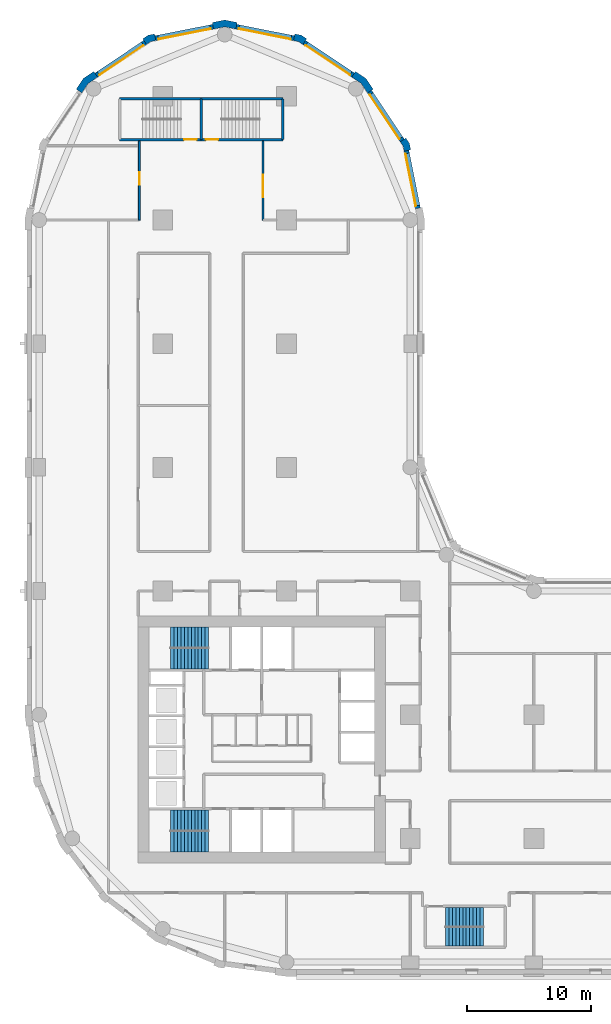
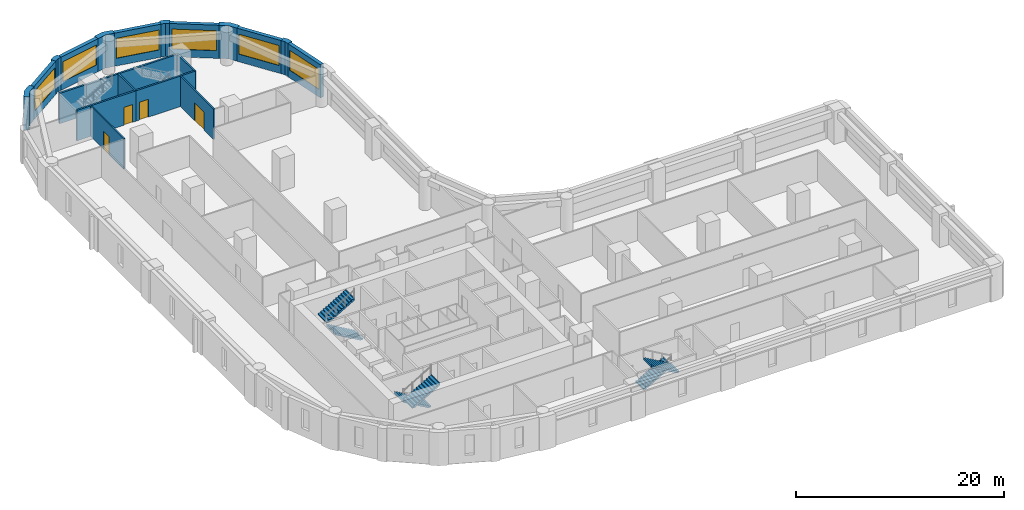
# One storey, part 8 of 11: 20 walls, 6 stair flights, 6 windows, 4 doors, 10 openings, 3 elements without a shape of their own.
"""IFC4 building model written with IfcOpenShell, lengths in metres."""

from ifc_helpers import new_model, si_unit, direction, frame, frame_2d, origin, place, context, subcontext, project, spatial, polyline, rectangle, outline, extrude, material, layer, layer_set, type_object, element, fill, aggregate, save


model = new_model("IFC4")

# Units and contexts
model_context = context("Model", 3, precision=1e-05, world=origin(), true_north=direction((0.0, 1.0)))
body_context = subcontext(model_context, "Body", "Model", "MODEL_VIEW")
ifc_project = project(units=[si_unit("LENGTHUNIT", "METRE"), si_unit("AREAUNIT", "SQUARE_METRE"), si_unit("VOLUMEUNIT", "CUBIC_METRE"), si_unit("PLANEANGLEUNIT", "RADIAN"), si_unit("MASSUNIT", "GRAM", prefix="KILO")], contexts=[model_context])

# Site, building, storey
site_placement = place(None, origin())
site = spatial("IfcSite", under=ifc_project, at=site_placement, CompositionType="ELEMENT")
building_placement = place(site_placement, origin())
building = spatial("IfcBuilding", under=site, at=building_placement, Name="Qaws Garden Tower", CompositionType="ELEMENT")
storey_placement = place(building_placement, frame((0.0, 0.0, 86.10009765625)))
storey = spatial("IfcBuildingStorey", under=building, at=storey_placement, Name="L21", CompositionType="ELEMENT", Elevation=86.10009765625)

# Wall, opening, window
ifc_material_1 = material(Name="Clay facing brick masonry", Category="masonry")
ifc_layer_1 = layer(ifc_material_1, 0.39990234375)
ifc_layer_set_1 = layer_set([ifc_layer_1], Name="Clay facing brick masonry")
wall_type_1 = type_object("IfcWallType", Name="Brick infill wall 400", PredefinedType="SOLIDWALL", material=ifc_layer_set_1)
wall_1_placement = place(storey_placement, frame((30.628662109375, 60.940673828125, 0.0), z_axis=(0.0, 0.0, 1.0), x_axis=(-0.195098533057, 0.98078364709, 0.0)))
wall_1 = element("IfcWall", 1, at=wall_1_placement, inside=storey, type_object=wall_type_1, Name="E-L21-infill-15", PredefinedType="SOLIDWALL", context=body_context, shape_type="SweptSolid", body=[
    extrude(rectangle(XDim=4.752685546875, YDim=0.39990234375, at=frame_2d((2.37646484375, 0.0))), origin(), (0.0, 0.0, 1.0), 3.89990234375),
])
opening_1_placement = place(wall_1_placement, frame((0.226318359375, 0.0, 0.89990234375)))
opening_1 = element("IfcOpeningElement", 2, at=opening_1_placement, cuts=wall_1, Name="Opening W06", PredefinedType="OPENING", context=body_context, shape_type="SweptSolid", body=[
    extrude(rectangle(XDim=4.300048828125, YDim=2.35009765625, at=frame_2d((2.14990234375, 1.175048828125))), frame((0.0, 0.2099609375, 0.0), z_axis=(0.0, -1.0, 0.0), x_axis=(1.0, 0.0, 0.0)), (0.0, 0.0, 1.0), 0.419921875),
])
ifc_material_2 = material(Name="Aluminium framed window, clear glazing", Category="aluminium")
window_type = type_object("IfcWindowType", Name="Ribbon window 4300 x 2350", PartitioningType="DOUBLE_PANEL_VERTICAL", PredefinedType="WINDOW", material=ifc_material_2)
window_1_placement = place(opening_1_placement, origin())
window_1 = element("IfcWindow", 3, at=window_1_placement, inside=storey, type_object=window_type, Name="E-L21-window-15-0", OverallHeight=2.35009765625, OverallWidth=4.300048828125, PartitioningType="SINGLE_PANEL", PredefinedType="WINDOW", context=body_context, shape_type="SweptSolid", body=[
    extrude(rectangle(XDim=4.300048828125, YDim=2.35009765625, at=frame_2d((2.14990234375, 1.175048828125))), frame((0.0, 0.159912109375, 0.0), z_axis=(0.0, -1.0, 0.0), x_axis=(1.0, 0.0, 0.0)), (0.0, 0.0, 1.0), 0.06005859375),
])
fill(opening_1, window_1)

wall_2_placement = place(storey_placement, frame((29.356689453125, 66.43408203125, 0.0), z_axis=(0.0, 0.0, 1.0), x_axis=(-0.555541552266, 0.831488775454, 0.0)))
wall_2 = element("IfcWall", 4, at=wall_2_placement, inside=storey, type_object=wall_type_1, Name="E-L21-infill-16", PredefinedType="SOLIDWALL", context=body_context, shape_type="SweptSolid", body=[
    extrude(rectangle(XDim=4.752685546875, YDim=0.39990234375, at=frame_2d((2.37646484375, 0.0))), origin(), (0.0, 0.0, 1.0), 3.89990234375),
])
opening_2_placement = place(wall_2_placement, frame((0.226318359375, 0.0, 0.89990234375)))
opening_2 = element("IfcOpeningElement", 5, at=opening_2_placement, cuts=wall_2, Name="Opening W06", PredefinedType="OPENING", context=body_context, shape_type="SweptSolid", body=[
    extrude(rectangle(XDim=4.300048828125, YDim=2.35009765625, at=frame_2d((2.14990234375, 1.175048828125))), frame((0.0, 0.2099609375, 0.0), z_axis=(0.0, -1.0, 0.0), x_axis=(1.0, 0.0, 0.0)), (0.0, 0.0, 1.0), 0.419921875),
])
window_2_placement = place(opening_2_placement, origin())
window_2 = element("IfcWindow", 6, at=window_2_placement, inside=storey, type_object=window_type, Name="E-L21-window-16-0", OverallHeight=2.35009765625, OverallWidth=4.300048828125, PartitioningType="SINGLE_PANEL", PredefinedType="WINDOW", context=body_context, shape_type="SweptSolid", body=[
    extrude(rectangle(XDim=4.300048828125, YDim=2.35009765625, at=frame_2d((2.14990234375, 1.175048828125))), frame((0.0, 0.159912109375, 0.0), z_axis=(0.0, -1.0, 0.0), x_axis=(1.0, 0.0, 0.0)), (0.0, 0.0, 1.0), 0.06005859375),
])
fill(opening_2, window_2)

wall_3_placement = place(storey_placement, frame((25.385986328125, 71.71630859375, 0.0), z_axis=(0.0, 0.0, 1.0), x_axis=(-0.831488775454, 0.555541552266, 0.0)))
wall_3 = element("IfcWall", 7, at=wall_3_placement, inside=storey, type_object=wall_type_1, Name="E-L21-infill-17", PredefinedType="SOLIDWALL", context=body_context, shape_type="SweptSolid", body=[
    extrude(rectangle(XDim=4.752685546875, YDim=0.39990234375, at=frame_2d((2.37646484375, 0.0))), origin(), (0.0, 0.0, 1.0), 3.89990234375),
])
opening_3_placement = place(wall_3_placement, frame((0.226318359375, 0.0, 0.89990234375)))
opening_3 = element("IfcOpeningElement", 8, at=opening_3_placement, cuts=wall_3, Name="Opening W06", PredefinedType="OPENING", context=body_context, shape_type="SweptSolid", body=[
    extrude(rectangle(XDim=4.300048828125, YDim=2.35009765625, at=frame_2d((2.14990234375, 1.175048828125))), frame((0.0, 0.2099609375, 0.0), z_axis=(0.0, -1.0, 0.0), x_axis=(1.0, 0.0, 0.0)), (0.0, 0.0, 1.0), 0.419921875),
])
window_3_placement = place(opening_3_placement, origin())
window_3 = element("IfcWindow", 9, at=window_3_placement, inside=storey, type_object=window_type, Name="E-L21-window-17-0", OverallHeight=2.35009765625, OverallWidth=4.300048828125, PartitioningType="SINGLE_PANEL", PredefinedType="WINDOW", context=body_context, shape_type="SweptSolid", body=[
    extrude(rectangle(XDim=4.300048828125, YDim=2.35009765625, at=frame_2d((2.14990234375, 1.175048828125))), frame((0.0, 0.159912109375, 0.0), z_axis=(0.0, -1.0, 0.0), x_axis=(1.0, 0.0, 0.0)), (0.0, 0.0, 1.0), 0.06005859375),
])
fill(opening_3, window_3)

wall_4_placement = place(storey_placement, frame((20.60205078125, 74.701416015625, 0.0), z_axis=(0.0, 0.0, 1.0), x_axis=(-0.98078364709, 0.195098533057, 0.0)))
wall_4 = element("IfcWall", 10, at=wall_4_placement, inside=storey, type_object=wall_type_1, Name="E-L21-infill-18", PredefinedType="SOLIDWALL", context=body_context, shape_type="SweptSolid", body=[
    extrude(rectangle(XDim=4.752685546875, YDim=0.39990234375, at=frame_2d((2.37646484375, 0.0))), origin(), (0.0, 0.0, 1.0), 3.89990234375),
])
opening_4_placement = place(wall_4_placement, frame((0.226318359375, 0.0, 0.89990234375)))
opening_4 = element("IfcOpeningElement", 11, at=opening_4_placement, cuts=wall_4, Name="Opening W06", PredefinedType="OPENING", context=body_context, shape_type="SweptSolid", body=[
    extrude(rectangle(XDim=4.300048828125, YDim=2.35009765625, at=frame_2d((2.14990234375, 1.175048828125))), frame((0.0, 0.2099609375, 0.0), z_axis=(0.0, -1.0, 0.0), x_axis=(1.0, 0.0, 0.0)), (0.0, 0.0, 1.0), 0.419921875),
])
window_4_placement = place(opening_4_placement, origin())
window_4 = element("IfcWindow", 12, at=window_4_placement, inside=storey, type_object=window_type, Name="E-L21-window-18-0", OverallHeight=2.35009765625, OverallWidth=4.300048828125, PartitioningType="SINGLE_PANEL", PredefinedType="WINDOW", context=body_context, shape_type="SweptSolid", body=[
    extrude(rectangle(XDim=4.300048828125, YDim=2.35009765625, at=frame_2d((2.14990234375, 1.175048828125))), frame((0.0, 0.159912109375, 0.0), z_axis=(0.0, -1.0, 0.0), x_axis=(1.0, 0.0, 0.0)), (0.0, 0.0, 1.0), 0.06005859375),
])
fill(opening_4, window_4)

wall_5_placement = place(storey_placement, frame((14.059326171875, 75.628662109375, 0.0), z_axis=(0.0, 0.0, 1.0), x_axis=(-0.98078364709, -0.195098533057, 0.0)))
wall_5 = element("IfcWall", 13, at=wall_5_placement, inside=storey, type_object=wall_type_1, Name="E-L21-infill-19", PredefinedType="SOLIDWALL", context=body_context, shape_type="SweptSolid", body=[
    extrude(rectangle(XDim=4.752685546875, YDim=0.39990234375, at=frame_2d((2.37646484375, 0.0))), origin(), (0.0, 0.0, 1.0), 3.89990234375),
])
opening_5_placement = place(wall_5_placement, frame((0.226318359375, 0.0, 0.89990234375)))
opening_5 = element("IfcOpeningElement", 14, at=opening_5_placement, cuts=wall_5, Name="Opening W06", PredefinedType="OPENING", context=body_context, shape_type="SweptSolid", body=[
    extrude(rectangle(XDim=4.300048828125, YDim=2.35009765625, at=frame_2d((2.14990234375, 1.175048828125))), frame((0.0, 0.2099609375, 0.0), z_axis=(0.0, -1.0, 0.0), x_axis=(1.0, 0.0, 0.0)), (0.0, 0.0, 1.0), 0.419921875),
])
window_5_placement = place(opening_5_placement, origin())
window_5 = element("IfcWindow", 15, at=window_5_placement, inside=storey, type_object=window_type, Name="E-L21-window-19-0", OverallHeight=2.35009765625, OverallWidth=4.300048828125, PartitioningType="SINGLE_PANEL", PredefinedType="WINDOW", context=body_context, shape_type="SweptSolid", body=[
    extrude(rectangle(XDim=4.300048828125, YDim=2.35009765625, at=frame_2d((2.14990234375, 1.175048828125))), frame((0.0, 0.159912109375, 0.0), z_axis=(0.0, -1.0, 0.0), x_axis=(1.0, 0.0, 0.0)), (0.0, 0.0, 1.0), 0.06005859375),
])
fill(opening_5, window_5)

wall_6_placement = place(storey_placement, frame((8.56591796875, 74.356689453125, 0.0), z_axis=(0.0, 0.0, 1.0), x_axis=(-0.831488775454, -0.555541552266, 0.0)))
wall_6 = element("IfcWall", 16, at=wall_6_placement, inside=storey, type_object=wall_type_1, Name="E-L21-infill-20", PredefinedType="SOLIDWALL", context=body_context, shape_type="SweptSolid", body=[
    extrude(rectangle(XDim=4.752685546875, YDim=0.39990234375, at=frame_2d((2.37646484375, 0.0))), origin(), (0.0, 0.0, 1.0), 3.89990234375),
])
opening_6_placement = place(wall_6_placement, frame((0.226318359375, 0.0, 0.89990234375)))
opening_6 = element("IfcOpeningElement", 17, at=opening_6_placement, cuts=wall_6, Name="Opening W06", PredefinedType="OPENING", context=body_context, shape_type="SweptSolid", body=[
    extrude(rectangle(XDim=4.300048828125, YDim=2.35009765625, at=frame_2d((2.14990234375, 1.175048828125))), frame((0.0, 0.2099609375, 0.0), z_axis=(0.0, -1.0, 0.0), x_axis=(1.0, 0.0, 0.0)), (0.0, 0.0, 1.0), 0.419921875),
])
window_6_placement = place(opening_6_placement, origin())
window_6 = element("IfcWindow", 18, at=window_6_placement, inside=storey, type_object=window_type, Name="E-L21-window-20-0", OverallHeight=2.35009765625, OverallWidth=4.300048828125, PartitioningType="SINGLE_PANEL", PredefinedType="WINDOW", context=body_context, shape_type="SweptSolid", body=[
    extrude(rectangle(XDim=4.300048828125, YDim=2.35009765625, at=frame_2d((2.14990234375, 1.175048828125))), frame((0.0, 0.159912109375, 0.0), z_axis=(0.0, -1.0, 0.0), x_axis=(1.0, 0.0, 0.0)), (0.0, 0.0, 1.0), 0.06005859375),
])
fill(opening_6, window_6)

# Walls
ifc_material_3 = material(Name="Clay facing brick masonry", Category="masonry")
ifc_layer_2 = layer(ifc_material_3, 0.550048828125)
ifc_layer_set_2 = layer_set([ifc_layer_2], Name="Clay facing brick masonry")
wall_type_2 = type_object("IfcWallType", Name="Brick kink pier 550 x 600", PredefinedType="SOLIDWALL", material=ifc_layer_set_2)
placement = place(storey_placement, origin())
element("IfcWall", 19, at=placement, inside=storey, type_object=wall_type_2, Name="E-L21-pier-16", PredefinedType="SOLIDWALL", context=body_context, shape_type="SweptSolid", body=[
    extrude(outline(polyline([(29.8974609375, 65.64111328125), (30.044677734375, 65.67041015625), (29.94140625, 66.18896484375), (29.647705078125, 66.628662109375), (29.52294921875, 66.545166015625), (29.1904296875, 66.322998046875), (29.42333984375, 65.974365234375), (29.505126953125, 65.56298828125), (29.8974609375, 65.64111328125)])), origin(), (0.0, 0.0, 1.0), 3.89990234375),
])
element("IfcWall", 20, at=placement, inside=storey, type_object=wall_type_2, Name="E-L21-pier-18", PredefinedType="SOLIDWALL", context=body_context, shape_type="SweptSolid", body=[
    extrude(outline(polyline([(21.545166015625, 74.52294921875), (21.628662109375, 74.647705078125), (21.18896484375, 74.94140625), (20.67041015625, 75.044677734375), (20.64111328125, 74.8974609375), (20.56298828125, 74.505126953125), (20.974365234375, 74.42333984375), (21.322998046875, 74.1904296875), (21.545166015625, 74.52294921875)])), origin(), (0.0, 0.0, 1.0), 3.89990234375),
])
element("IfcWall", 21, at=placement, inside=storey, type_object=wall_type_2, Name="E-L21-pier-20", PredefinedType="SOLIDWALL", context=body_context, shape_type="SweptSolid", body=[
    extrude(outline(polyline([(9.35888671875, 74.8974609375), (9.32958984375, 75.044677734375), (8.81103515625, 74.94140625), (8.371337890625, 74.647705078125), (8.454833984375, 74.52294921875), (8.677001953125, 74.1904296875), (9.025634765625, 74.42333984375), (9.43701171875, 74.505126953125), (9.35888671875, 74.8974609375)])), origin(), (0.0, 0.0, 1.0), 3.89990234375),
])
ifc_material_4 = material(Name="Clay facing brick masonry", Category="masonry")
ifc_layer_3 = layer(ifc_material_4, 0.550048828125)
ifc_layer_set_3 = layer_set([ifc_layer_3], Name="Clay facing brick masonry")
wall_type_3 = type_object("IfcWallType", Name="Brick pier 550 x 1600", PredefinedType="SOLIDWALL", material=ifc_layer_set_3)
element("IfcWall", 22, at=placement, inside=storey, type_object=wall_type_3, Name="E-L21-pier-17", PredefinedType="SOLIDWALL", context=body_context, shape_type="SweptSolid", body=[
    extrude(outline(polyline([(26.882568359375, 70.4970703125), (27.00732421875, 70.580322265625), (26.435791015625, 71.435791015625), (25.580322265625, 72.00732421875), (25.4970703125, 71.882568359375), (25.274658203125, 71.550048828125), (26.0390625, 71.0390625), (26.550048828125, 70.274658203125), (26.882568359375, 70.4970703125)])), origin(), (0.0, 0.0, 1.0), 3.89990234375),
])
element("IfcWall", 23, at=placement, inside=storey, type_object=wall_type_3, Name="E-L21-pier-19", PredefinedType="SOLIDWALL", context=body_context, shape_type="SweptSolid", body=[
    extrude(outline(polyline([(15.979736328125, 75.82470703125), (16.009033203125, 75.971923828125), (15.0, 76.172607421875), (13.990966796875, 75.971923828125), (14.020263671875, 75.82470703125), (14.098388671875, 75.432373046875), (15.0, 75.61181640625), (15.901611328125, 75.432373046875), (15.979736328125, 75.82470703125)])), origin(), (0.0, 0.0, 1.0), 3.89990234375),
])
element("IfcWall", 24, at=placement, inside=storey, type_object=wall_type_3, Name="E-L21-pier-21", PredefinedType="SOLIDWALL", context=body_context, shape_type="SweptSolid", body=[
    extrude(outline(polyline([(4.5029296875, 71.882568359375), (4.419677734375, 72.00732421875), (3.564208984375, 71.435791015625), (2.99267578125, 70.580322265625), (3.117431640625, 70.4970703125), (3.449951171875, 70.274658203125), (3.9609375, 71.0390625), (4.725341796875, 71.550048828125), (4.5029296875, 71.882568359375)])), origin(), (0.0, 0.0, 1.0), 3.89990234375),
])

# Wall, opening, door
ifc_material_5 = material(Name="Concrete C80", Category="concrete")
ifc_layer_4 = layer(ifc_material_5, 0.199951171875)
ifc_layer_set_4 = layer_set([ifc_layer_4], Name="Concrete C80")
wall_type_4 = type_object("IfcWallType", Name="Core shaft wall 200 C80", PredefinedType="SHEAR", material=ifc_layer_set_4)
wall_13_placement = place(storey_placement, frame((6.5, 66.5, 0.0), z_axis=(0.0, 0.0, 1.0), x_axis=(1.0, 0.0, 0.0)))
wall_13 = element("IfcWall", 25, at=wall_13_placement, inside=storey, type_object=wall_type_4, Name="Shaft wall", PredefinedType="SHEAR", context=body_context, shape_type="SweptSolid", body=[
    extrude(rectangle(XDim=6.60009765625, YDim=0.199951171875, at=frame_2d((3.300048828125, 0.0))), origin(), (0.0, 0.0, 1.0), 3.579833984375),
])
opening_7_placement = place(wall_13_placement, frame((5.22509765625, 0.0, 0.0)))
opening_7 = element("IfcOpeningElement", 26, at=opening_7_placement, cuts=wall_13, Name="Opening SD13", PredefinedType="OPENING", context=body_context, shape_type="SweptSolid", body=[
    extrude(rectangle(XDim=1.0, YDim=2.10009765625, at=frame_2d((0.5, 1.050048828125))), frame((0.0, 0.10986328125, 0.0), z_axis=(0.0, -1.0, 0.0), x_axis=(1.0, 0.0, 0.0)), (0.0, 0.0, 1.0), 0.219970703125),
])
ifc_material_6 = material(Name="Steel S235", Category="steel")
door_type_1 = type_object("IfcDoorType", Name="Stair door 1000x2100", OperationType="SINGLE_SWING_RIGHT", PredefinedType="DOOR", material=ifc_material_6)
door_1_placement = place(opening_7_placement, origin())
door_1 = element("IfcDoor", 27, at=door_1_placement, inside=storey, type_object=door_type_1, Name="Stair 6 door", OperationType="SINGLE_SWING_RIGHT", OverallHeight=2.10009765625, OverallWidth=1.0, PredefinedType="DOOR", context=body_context, shape_type="SweptSolid", body=[
    extrude(rectangle(XDim=1.0, YDim=2.10009765625, at=frame_2d((0.5, 1.050048828125))), frame((0.0, 0.02490234375, 0.0), z_axis=(0.0, -1.0, 0.0), x_axis=(1.0, 0.0, 0.0)), (0.0, 0.0, 1.0), 0.050048828125),
])
fill(opening_7, door_1)

wall_14_placement = place(storey_placement, frame((13.10009765625, 66.5, 0.0), z_axis=(0.0, 0.0, 1.0), x_axis=(1.0, 0.0, 0.0)))
wall_14 = element("IfcWall", 28, at=wall_14_placement, inside=storey, type_object=wall_type_4, Name="Shaft wall", PredefinedType="SHEAR", context=body_context, shape_type="SweptSolid", body=[
    extrude(rectangle(XDim=6.599853515625, YDim=0.199951171875, at=frame_2d((3.2998046875, 0.0))), origin(), (0.0, 0.0, 1.0), 3.579833984375),
])
opening_8_placement = place(wall_14_placement, frame((0.375, 0.0, 0.0)))
opening_8 = element("IfcOpeningElement", 29, at=opening_8_placement, cuts=wall_14, Name="Opening SD14", PredefinedType="OPENING", context=body_context, shape_type="SweptSolid", body=[
    extrude(rectangle(XDim=1.0, YDim=2.10009765625, at=frame_2d((0.5, 1.050048828125))), frame((0.0, 0.10986328125, 0.0), z_axis=(0.0, -1.0, 0.0), x_axis=(1.0, 0.0, 0.0)), (0.0, 0.0, 1.0), 0.219970703125),
])
door_2_placement = place(opening_8_placement, origin())
door_2 = element("IfcDoor", 30, at=door_2_placement, inside=storey, type_object=door_type_1, Name="Stair 7 door", OperationType="SINGLE_SWING_LEFT", OverallHeight=2.10009765625, OverallWidth=1.0, PredefinedType="DOOR", context=body_context, shape_type="SweptSolid", body=[
    extrude(rectangle(XDim=1.0, YDim=2.10009765625, at=frame_2d((0.5, 1.050048828125))), frame((0.0, 0.02490234375, 0.0), z_axis=(0.0, -1.0, 0.0), x_axis=(1.0, 0.0, 0.0)), (0.0, 0.0, 1.0), 0.050048828125),
])
fill(opening_8, door_2)

# Walls
wall_15_placement = place(storey_placement, frame((6.5, 69.800048828125, 0.0), z_axis=(0.0, 0.0, 1.0), x_axis=(1.0, 0.0, 0.0)))
element("IfcWall", 31, at=wall_15_placement, inside=storey, type_object=wall_type_4, Name="Shaft wall", PredefinedType="SHEAR", context=body_context, shape_type="SweptSolid", body=[
    extrude(rectangle(XDim=6.60009765625, YDim=0.199951171875, at=frame_2d((3.300048828125, 0.0))), origin(), (0.0, 0.0, 1.0), 3.579833984375),
])
wall_16_placement = place(storey_placement, frame((13.10009765625, 69.800048828125, 0.0), z_axis=(0.0, 0.0, 1.0), x_axis=(1.0, 0.0, 0.0)))
element("IfcWall", 32, at=wall_16_placement, inside=storey, type_object=wall_type_4, Name="Shaft wall", PredefinedType="SHEAR", context=body_context, shape_type="SweptSolid", body=[
    extrude(rectangle(XDim=6.599853515625, YDim=0.199951171875, at=frame_2d((3.2998046875, 0.0))), origin(), (0.0, 0.0, 1.0), 3.579833984375),
])
for number, where, z_axis, x_axis, name in (
    (33, (13.10009765625, 66.5, 0.0), (0.0, 0.0, 1.0), (0.0, 1.0, 0.0), "Shaft wall"),
    (34, (19.699951171875, 66.5, 0.0), (0.0, 0.0, 1.0), (0.0, 1.0, 0.0), "Shaft wall"),
):
    element("IfcWall", number, at=place(storey_placement, frame(where, z_axis=z_axis, x_axis=x_axis)), inside=storey, type_object=wall_type_4, Name=name, PredefinedType="SHEAR", context=body_context, shape_type="SweptSolid", body=[
        extrude(rectangle(XDim=3.300048828125, YDim=0.199951171875, at=frame_2d((1.64990234375, 0.0))), origin(), (0.0, 0.0, 1.0), 3.579833984375),
    ])

# Wall, opening, door
ifc_material_7 = material(Name="Gypsum board partition")
ifc_layer_5 = layer(ifc_material_7, 0.14990234375)
ifc_layer_set_5 = layer_set([ifc_layer_5], Name="Gypsum board partition")
wall_type_5 = type_object("IfcWallType", Name="PARTITION 150 EI 60", PredefinedType="PARTITIONING", material=ifc_layer_set_5)
wall_17_placement = place(storey_placement, frame((8.10009765625, 60.0, 0.0), z_axis=(0.0, 0.0, 1.0), x_axis=(0.0, 1.0, 0.0)))
wall_17 = element("IfcWall", 35, at=wall_17_placement, inside=storey, type_object=wall_type_5, Name="O-L21-wall-004", PredefinedType="PARTITIONING", context=body_context, shape_type="SweptSolid", body=[
    extrude(rectangle(XDim=6.39990234375, YDim=0.14990234375, at=frame_2d((3.199951171875, 0.0))), origin(), (0.0, 0.0, 1.0), 3.579833984375),
])
opening_9_placement = place(wall_17_placement, frame((2.85009765625, 0.0, 0.0)))
opening_9 = element("IfcOpeningElement", 36, at=opening_9_placement, cuts=wall_17, Name="Opening A716", PredefinedType="OPENING", context=body_context, shape_type="SweptSolid", body=[
    extrude(rectangle(XDim=1.0, YDim=2.10009765625, at=frame_2d((0.5, 1.050048828125))), frame((0.0, 0.0849609375, 0.0), z_axis=(0.0, -1.0, 0.0), x_axis=(1.0, 0.0, 0.0)), (0.0, 0.0, 1.0), 0.169921875),
])
ifc_material_8 = material(Name="Timber door leaf", Category="wood")
door_type_2 = type_object("IfcDoorType", Name="TENANCY ENTRANCE DOOR 1000 X 2100", OperationType="SINGLE_SWING_LEFT", PredefinedType="DOOR", material=ifc_material_8)
door_3_placement = place(opening_9_placement, origin())
door_3 = element("IfcDoor", 37, at=door_3_placement, inside=storey, type_object=door_type_2, Name="O-L21-door-016", OperationType="SINGLE_SWING_LEFT", OverallHeight=2.10009765625, OverallWidth=1.0, PredefinedType="DOOR", context=body_context, shape_type="SweptSolid", body=[
    extrude(rectangle(XDim=1.0, YDim=2.10009765625, at=frame_2d((0.5, 1.050048828125))), frame((0.0, 0.02490234375, 0.0), z_axis=(0.0, -1.0, 0.0), x_axis=(1.0, 0.0, 0.0)), (0.0, 0.0, 1.0), 0.050048828125),
])
fill(opening_9, door_3)

wall_18_placement = place(storey_placement, frame((18.10009765625, 60.0, 0.0), z_axis=(0.0, 0.0, 1.0), x_axis=(0.0, 1.0, 0.0)))
wall_18 = element("IfcWall", 38, at=wall_18_placement, inside=storey, type_object=wall_type_5, Name="O-L21-wall-010", PredefinedType="PARTITIONING", context=body_context, shape_type="SweptSolid", body=[
    extrude(rectangle(XDim=6.39990234375, YDim=0.14990234375, at=frame_2d((3.199951171875, 0.0))), origin(), (0.0, 0.0, 1.0), 3.579833984375),
])
opening_10_placement = place(wall_18_placement, frame((1.85009765625, 0.0, 0.0)))
opening_10 = element("IfcOpeningElement", 39, at=opening_10_placement, cuts=wall_18, Name="Opening A717", PredefinedType="OPENING", context=body_context, shape_type="SweptSolid", body=[
    extrude(rectangle(XDim=1.800048828125, YDim=2.10009765625, at=frame_2d((0.89990234375, 1.050048828125))), frame((0.0, 0.0849609375, 0.0), z_axis=(0.0, -1.0, 0.0), x_axis=(1.0, 0.0, 0.0)), (0.0, 0.0, 1.0), 0.169921875),
])
ifc_material_9 = material(Name="Timber door leaf", Category="wood")
door_type_3 = type_object("IfcDoorType", Name="DOUBLE DOOR 1800 X 2100", OperationType="DOUBLE_DOOR_SINGLE_SWING", PredefinedType="DOOR", material=ifc_material_9)
door_4_placement = place(opening_10_placement, frame((1.800048828125, 0.0, 0.0), z_axis=(0.0, 0.0, 1.0), x_axis=(-1.0, 0.0, 0.0)))
door_4 = element("IfcDoor", 40, at=door_4_placement, inside=storey, type_object=door_type_3, Name="O-L21-door-017", OperationType="DOUBLE_DOOR_SINGLE_SWING", OverallHeight=2.10009765625, OverallWidth=1.800048828125, PredefinedType="DOOR", context=body_context, shape_type="SweptSolid", body=[
    extrude(rectangle(XDim=1.800048828125, YDim=2.10009765625, at=frame_2d((0.89990234375, 1.050048828125))), frame((0.0, 0.02490234375, 0.0), z_axis=(0.0, -1.0, 0.0), x_axis=(1.0, 0.0, 0.0)), (0.0, 0.0, 1.0), 0.050048828125),
])
fill(opening_10, door_4)

# Stair, stair flights
ifc_material_10 = material(Name="Concrete C40", Category="concrete")
stair_type_1 = type_object("IfcStairType", Name="Exit stair 1350", PredefinedType="HALF_TURN_STAIR", material=ifc_material_10)
stair_1 = element("IfcStair", 41, at=placement, inside=storey, type_object=stair_type_1, Name="Stair 5", PredefinedType="HALF_TURN_STAIR")
ifc_material_11 = material(Name="Concrete C40", Category="concrete")
stair_flight_type_1 = type_object("IfcStairFlightType", Name="Stair flight 1350", PredefinedType="STRAIGHT", material=ifc_material_11)
stair_flight_1_placement = place(storey_placement, frame((32.85009765625, 3.625, 0.0), z_axis=(0.0, 0.0, 1.0), x_axis=(1.0, 0.0, 0.0)))
stair_flight_1 = element("IfcStairFlight", 42, at=stair_flight_1_placement, type_object=stair_flight_type_1, Name="ST5 flight 1", NumberOfRisers=12, NumberOfTreads=11, PredefinedType="STRAIGHT", RiserHeight=0.1625, TreadLength=0.28, context=body_context, shape_type="SweptSolid", body=[
    extrude(outline(polyline([(-0.0029296875, 0.0), (-0.0029296875, 0.16259765625), (0.0, 0.16259765625), (0.280029296875, 0.16259765625), (0.280029296875, 0.324951171875), (0.56005859375, 0.324951171875), (0.56005859375, 0.487548828125), (0.840087890625, 0.487548828125), (0.840087890625, 0.64990234375), (1.1201171875, 0.64990234375), (1.1201171875, 0.8125), (1.39990234375, 0.8125), (1.39990234375, 0.97509765625), (1.679931640625, 0.97509765625), (1.679931640625, 1.137451171875), (1.9599609375, 1.137451171875), (1.9599609375, 1.300048828125), (2.239990234375, 1.300048828125), (2.239990234375, 1.46240234375), (2.52001953125, 1.46240234375), (2.52001953125, 1.625), (2.800048828125, 1.625), (2.800048828125, 1.78759765625), (3.080078125, 1.78759765625), (3.080078125, 1.949951171875), (3.0830078125, 1.949951171875), (3.0830078125, 1.6142578125), (3.080078125, 1.6142578125), (0.298583984375, 0.0), (-0.0029296875, 0.0)])), frame((0.0, 0.77490234375, 0.0), z_axis=(0.0, -1.0, 0.0), x_axis=(1.0, 0.0, 0.0)), (0.0, 0.0, 1.0), 1.550048828125),
])
stair_flight_2_placement = place(storey_placement, frame((35.929931640625, 2.074951171875, 1.949951171875), z_axis=(0.0, 0.0, 1.0), x_axis=(-1.0, 0.0, 0.0)))
stair_flight_2 = element("IfcStairFlight", 43, at=stair_flight_2_placement, type_object=stair_flight_type_1, Name="ST5 flight 2", NumberOfRisers=12, NumberOfTreads=11, PredefinedType="STRAIGHT", RiserHeight=0.1625, TreadLength=0.28, context=body_context, shape_type="SweptSolid", body=[
    extrude(outline(polyline([(-0.0029296875, 0.0), (-0.0029296875, 0.16259765625), (0.0, 0.16259765625), (0.280029296875, 0.16259765625), (0.280029296875, 0.324951171875), (0.56005859375, 0.324951171875), (0.56005859375, 0.487548828125), (0.840087890625, 0.487548828125), (0.840087890625, 0.64990234375), (1.1201171875, 0.64990234375), (1.1201171875, 0.8125), (1.39990234375, 0.8125), (1.39990234375, 0.97509765625), (1.679931640625, 0.97509765625), (1.679931640625, 1.137451171875), (1.9599609375, 1.137451171875), (1.9599609375, 1.300048828125), (2.239990234375, 1.300048828125), (2.239990234375, 1.46240234375), (2.52001953125, 1.46240234375), (2.52001953125, 1.625), (2.800048828125, 1.625), (2.800048828125, 1.78759765625), (3.080078125, 1.78759765625), (3.080078125, 1.949951171875), (3.0830078125, 1.949951171875), (3.0830078125, 1.6142578125), (3.080078125, 1.6142578125), (0.298583984375, 0.0), (-0.0029296875, 0.0)])), frame((0.0, 0.77490234375, 0.0), z_axis=(0.0, -1.0, 0.0), x_axis=(1.0, 0.0, 0.0)), (0.0, 0.0, 1.0), 1.550048828125),
])
aggregate(stair_1, [stair_flight_1, stair_flight_2])

ifc_material_12 = material(Name="Concrete C40", Category="concrete")
stair_type_2 = type_object("IfcStairType", Name="Exit stair 1500", PredefinedType="HALF_TURN_STAIR", material=ifc_material_12)
stair_2 = element("IfcStair", 44, at=placement, inside=storey, type_object=stair_type_2, Name="Stair 1", PredefinedType="HALF_TURN_STAIR")
ifc_material_13 = material(Name="Concrete C40", Category="concrete")
stair_flight_type_2 = type_object("IfcStairFlightType", Name="Stair flight 1500", PredefinedType="STRAIGHT", material=ifc_material_13)
stair_flight_3_placement = place(storey_placement, frame((13.699951171875, 11.449951171875, 0.0), z_axis=(0.0, 0.0, 1.0), x_axis=(-1.0, 0.0, 0.0)))
stair_flight_3 = element("IfcStairFlight", 45, at=stair_flight_3_placement, type_object=stair_flight_type_2, Name="ST1 flight 1", NumberOfRisers=12, NumberOfTreads=11, PredefinedType="STRAIGHT", RiserHeight=0.1625, TreadLength=0.28, context=body_context, shape_type="SweptSolid", body=[
    extrude(outline(polyline([(-0.0029296875, 0.0), (-0.0029296875, 0.16259765625), (0.0, 0.16259765625), (0.280029296875, 0.16259765625), (0.280029296875, 0.324951171875), (0.56005859375, 0.324951171875), (0.56005859375, 0.487548828125), (0.840087890625, 0.487548828125), (0.840087890625, 0.64990234375), (1.1201171875, 0.64990234375), (1.1201171875, 0.8125), (1.39990234375, 0.8125), (1.39990234375, 0.97509765625), (1.679931640625, 0.97509765625), (1.679931640625, 1.137451171875), (1.9599609375, 1.137451171875), (1.9599609375, 1.300048828125), (2.239990234375, 1.300048828125), (2.239990234375, 1.46240234375), (2.52001953125, 1.46240234375), (2.52001953125, 1.625), (2.800048828125, 1.625), (2.800048828125, 1.78759765625), (3.080078125, 1.78759765625), (3.080078125, 1.949951171875), (3.0830078125, 1.949951171875), (3.0830078125, 1.6142578125), (3.080078125, 1.6142578125), (0.298583984375, 0.0), (-0.0029296875, 0.0)])), frame((0.0, 0.85009765625, 0.0), z_axis=(0.0, -1.0, 0.0), x_axis=(1.0, 0.0, 0.0)), (0.0, 0.0, 1.0), 1.699951171875),
])
stair_flight_4_placement = place(storey_placement, frame((10.6201171875, 9.75, 1.949951171875), z_axis=(0.0, 0.0, 1.0), x_axis=(1.0, 0.0, 0.0)))
stair_flight_4 = element("IfcStairFlight", 46, at=stair_flight_4_placement, type_object=stair_flight_type_2, Name="ST1 flight 2", NumberOfRisers=12, NumberOfTreads=11, PredefinedType="STRAIGHT", RiserHeight=0.1625, TreadLength=0.28, context=body_context, shape_type="SweptSolid", body=[
    extrude(outline(polyline([(-0.0029296875, 0.0), (-0.0029296875, 0.16259765625), (0.0, 0.16259765625), (0.280029296875, 0.16259765625), (0.280029296875, 0.324951171875), (0.56005859375, 0.324951171875), (0.56005859375, 0.487548828125), (0.840087890625, 0.487548828125), (0.840087890625, 0.64990234375), (1.1201171875, 0.64990234375), (1.1201171875, 0.8125), (1.39990234375, 0.8125), (1.39990234375, 0.97509765625), (1.679931640625, 0.97509765625), (1.679931640625, 1.137451171875), (1.9599609375, 1.137451171875), (1.9599609375, 1.300048828125), (2.239990234375, 1.300048828125), (2.239990234375, 1.46240234375), (2.52001953125, 1.46240234375), (2.52001953125, 1.625), (2.800048828125, 1.625), (2.800048828125, 1.78759765625), (3.080078125, 1.78759765625), (3.080078125, 1.949951171875), (3.0830078125, 1.949951171875), (3.0830078125, 1.6142578125), (3.080078125, 1.6142578125), (0.298583984375, 0.0), (-0.0029296875, 0.0)])), frame((0.0, 0.85009765625, 0.0), z_axis=(0.0, -1.0, 0.0), x_axis=(1.0, 0.0, 0.0)), (0.0, 0.0, 1.0), 1.699951171875),
])
aggregate(stair_2, [stair_flight_3, stair_flight_4])

stair_3 = element("IfcStair", 47, at=placement, inside=storey, type_object=stair_type_2, Name="Stair 4", PredefinedType="HALF_TURN_STAIR")
stair_flight_5_placement = place(storey_placement, frame((13.699951171875, 24.550048828125, 0.0), z_axis=(0.0, 0.0, 1.0), x_axis=(-1.0, 0.0, 0.0)))
stair_flight_5 = element("IfcStairFlight", 48, at=stair_flight_5_placement, type_object=stair_flight_type_2, Name="ST4 flight 1", NumberOfRisers=12, NumberOfTreads=11, PredefinedType="STRAIGHT", RiserHeight=0.1625, TreadLength=0.28, context=body_context, shape_type="SweptSolid", body=[
    extrude(outline(polyline([(-0.0029296875, 0.0), (-0.0029296875, 0.16259765625), (0.0, 0.16259765625), (0.280029296875, 0.16259765625), (0.280029296875, 0.324951171875), (0.56005859375, 0.324951171875), (0.56005859375, 0.487548828125), (0.840087890625, 0.487548828125), (0.840087890625, 0.64990234375), (1.1201171875, 0.64990234375), (1.1201171875, 0.8125), (1.39990234375, 0.8125), (1.39990234375, 0.97509765625), (1.679931640625, 0.97509765625), (1.679931640625, 1.137451171875), (1.9599609375, 1.137451171875), (1.9599609375, 1.300048828125), (2.239990234375, 1.300048828125), (2.239990234375, 1.46240234375), (2.52001953125, 1.46240234375), (2.52001953125, 1.625), (2.800048828125, 1.625), (2.800048828125, 1.78759765625), (3.080078125, 1.78759765625), (3.080078125, 1.949951171875), (3.0830078125, 1.949951171875), (3.0830078125, 1.6142578125), (3.080078125, 1.6142578125), (0.298583984375, 0.0), (-0.0029296875, 0.0)])), frame((0.0, 0.844970703125, 0.0), z_axis=(0.0, -1.0, 0.0), x_axis=(1.0, 0.0, 0.0)), (0.0, 0.0, 1.0), 1.68994140625),
])
stair_flight_6_placement = place(storey_placement, frame((10.6201171875, 26.25, 1.949951171875), z_axis=(0.0, 0.0, 1.0), x_axis=(1.0, 0.0, 0.0)))
stair_flight_6 = element("IfcStairFlight", 49, at=stair_flight_6_placement, type_object=stair_flight_type_2, Name="ST4 flight 2", NumberOfRisers=12, NumberOfTreads=11, PredefinedType="STRAIGHT", RiserHeight=0.1625, TreadLength=0.28, context=body_context, shape_type="SweptSolid", body=[
    extrude(outline(polyline([(-0.0029296875, 0.0), (-0.0029296875, 0.16259765625), (0.0, 0.16259765625), (0.280029296875, 0.16259765625), (0.280029296875, 0.324951171875), (0.56005859375, 0.324951171875), (0.56005859375, 0.487548828125), (0.840087890625, 0.487548828125), (0.840087890625, 0.64990234375), (1.1201171875, 0.64990234375), (1.1201171875, 0.8125), (1.39990234375, 0.8125), (1.39990234375, 0.97509765625), (1.679931640625, 0.97509765625), (1.679931640625, 1.137451171875), (1.9599609375, 1.137451171875), (1.9599609375, 1.300048828125), (2.239990234375, 1.300048828125), (2.239990234375, 1.46240234375), (2.52001953125, 1.46240234375), (2.52001953125, 1.625), (2.800048828125, 1.625), (2.800048828125, 1.78759765625), (3.080078125, 1.78759765625), (3.080078125, 1.949951171875), (3.0830078125, 1.949951171875), (3.0830078125, 1.6142578125), (3.080078125, 1.6142578125), (0.298583984375, 0.0), (-0.0029296875, 0.0)])), frame((0.0, 0.844970703125, 0.0), z_axis=(0.0, -1.0, 0.0), x_axis=(1.0, 0.0, 0.0)), (0.0, 0.0, 1.0), 1.68994140625),
])
aggregate(stair_3, [stair_flight_5, stair_flight_6])

save(model, "model.ifc")
